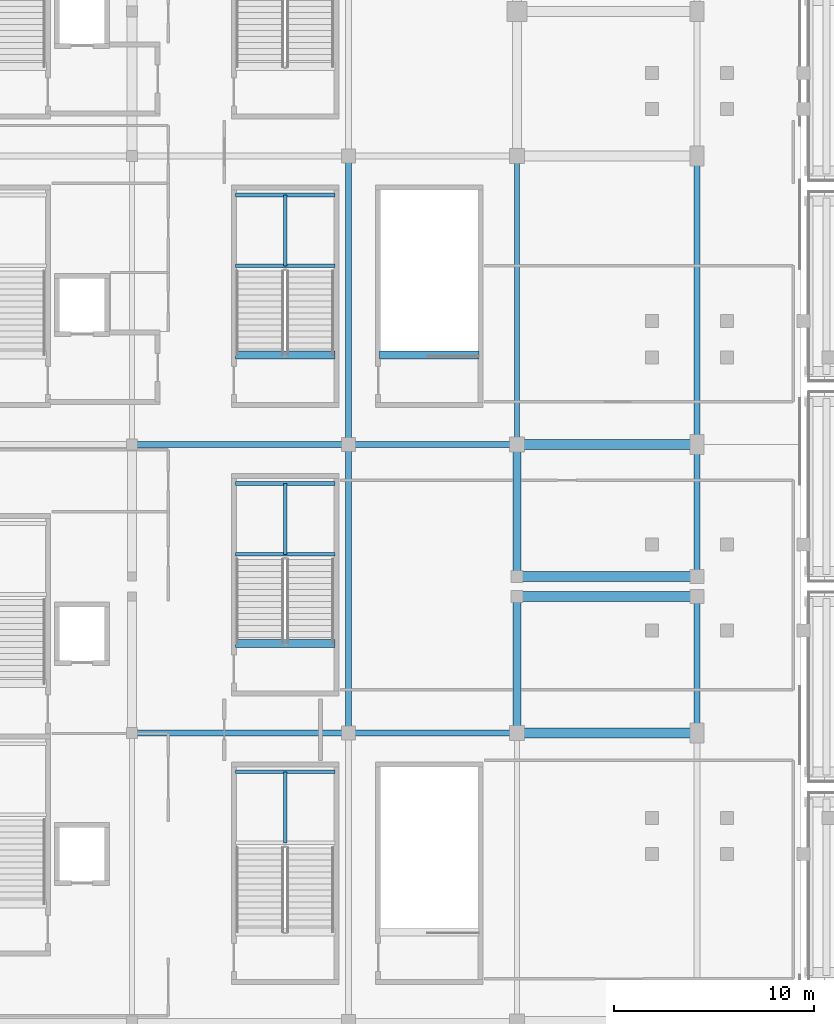
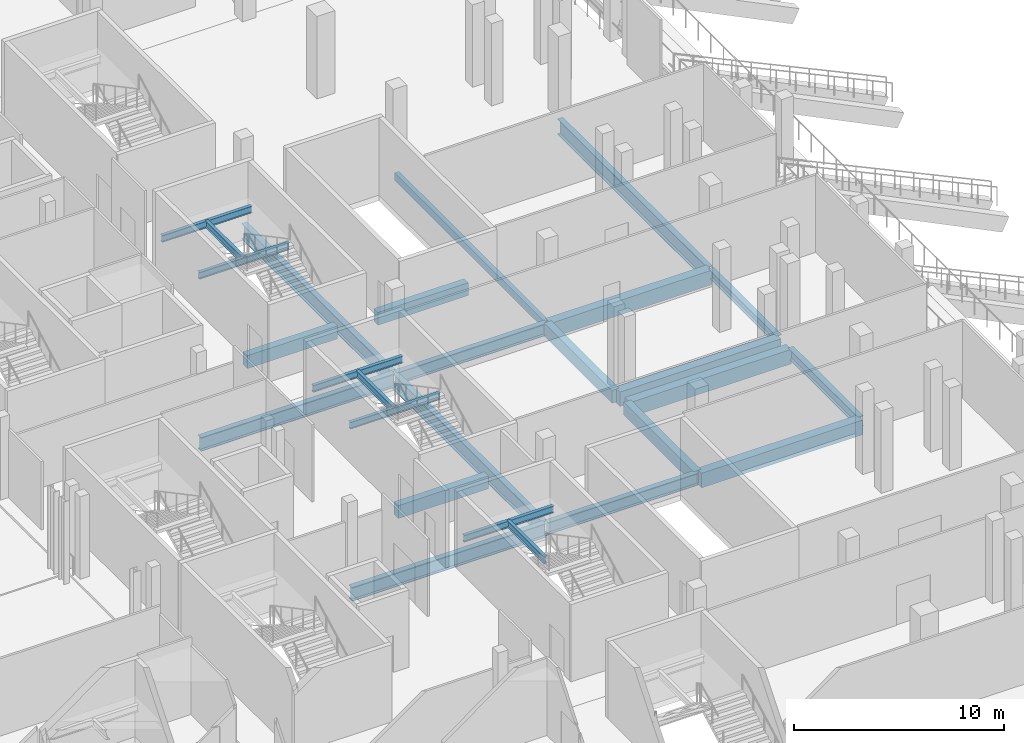
# One storey, part 29 of 129: 27 beams.
"""IFC4 building model written with IfcOpenShell, lengths in metres."""

import ifcopenshell
import ifcopenshell.guid

model = None  # the IFC model being written
_history = None  # IfcOwnerHistory: only IFC2X3 demands one
_inside = {}  # id of a spatial element -> (the spatial element, [elements in it])
_under = {}  # id of a project, library or spatial element -> (it, [spatial elements below it])
_declared = {}  # id of a project -> (the project, [libraries it declares])
_typed = {}  # id of a type object -> (the type object, [elements of that type])
_made_of = {}  # id of a material, layer set ... -> (it, [elements and type objects made of it])


def new_model(schema):
    """Start an empty IFC model of exactly this schema.

    Asked for "IFC4X3", IfcOpenShell would pick the latest addendum, in which some entities
    have other attributes; the version numbers below select the first issue.
    IFC2X3 requires an IfcOwnerHistory on every rooted entity: one is made here for all.
    """
    global model, _history
    if schema == "IFC4X3":
        model = ifcopenshell.file(schema_version=(4, 3, 0, 0))
    else:
        model = ifcopenshell.file(schema=schema)
    _inside.clear()
    _under.clear()
    _declared.clear()
    _typed.clear()
    _made_of.clear()
    _history = None
    if model.schema == "IFC2X3":
        org = make("IfcOrganization", Name="unknown")
        user = make(
            "IfcPersonAndOrganization",
            ThePerson=make("IfcPerson", FamilyName="unknown"),
            TheOrganization=org,
        )
        app = make(
            "IfcApplication",
            ApplicationDeveloper=org,
            Version="unknown",
            ApplicationFullName="unknown",
            ApplicationIdentifier="unknown",
        )
        _history = make(
            "IfcOwnerHistory",
            OwningUser=user,
            OwningApplication=app,
            ChangeAction="ADDED",
            CreationDate=0,
        )
    return model


def make(cls, **values):
    """One entity of the class cls with the attributes given. An attribute that is None is left unset."""
    return model.create_entity(
        cls, **{name: value for name, value in values.items() if value is not None}
    )


def rooted(cls, **values):
    """An entity with a GlobalId (a new one), such as an element, a storey or a relation."""
    return make(cls, GlobalId=ifcopenshell.guid.new(), OwnerHistory=_history, **values)


def si_unit(unit_type, name, prefix=None):
    """IfcSIUnit, for example si_unit("LENGTHUNIT", "METRE", prefix="MILLI")."""
    return make("IfcSIUnit", UnitType=unit_type, Prefix=prefix, Name=name)


def assignment(units):
    """IfcUnitAssignment: the units of a project."""
    return None if units is None else make("IfcUnitAssignment", Units=units)


def point(xyz):
    """IfcCartesianPoint."""
    return None if xyz is None else make("IfcCartesianPoint", Coordinates=xyz)


def direction(xyz):
    """IfcDirection."""
    return None if xyz is None else make("IfcDirection", DirectionRatios=xyz)


def frame(location, z_axis=None, x_axis=None):
    """IfcAxis2Placement3D, a coordinate frame: its origin and axes. An axis left out is left unset."""
    return make(
        "IfcAxis2Placement3D",
        Location=point(location),
        Axis=direction(z_axis),
        RefDirection=direction(x_axis),
    )


def frame_2d(location, x_axis=None):
    """IfcAxis2Placement2D, a coordinate frame in the plane: its origin and x axis."""
    return make(
        "IfcAxis2Placement2D", Location=point(location), RefDirection=direction(x_axis)
    )


def origin():
    """The frame at (0, 0, 0) with its axes left unset."""
    return frame((0.0, 0.0, 0.0))


def origin_2d():
    """The frame at (0, 0) in the plane with its x axis left unset."""
    return frame_2d((0.0, 0.0))


def place(relative_to, where):
    """IfcLocalPlacement: puts the frame where relative to a parent placement (None: the world)."""
    return make(
        "IfcLocalPlacement", PlacementRelTo=relative_to, RelativePlacement=where
    )


def context(
    kind, dimensions, precision=None, world=None, true_north=None, identifier=None
):
    """IfcGeometricRepresentationContext, for example the 3D "Model" context."""
    return make(
        "IfcGeometricRepresentationContext",
        ContextIdentifier=identifier,
        ContextType=kind,
        CoordinateSpaceDimension=dimensions,
        Precision=precision,
        WorldCoordinateSystem=world,
        TrueNorth=true_north,
    )


def subcontext(parent, identifier, kind, view, scale=None):
    """IfcGeometricRepresentationSubContext, for example "Body" below "Model"."""
    return make(
        "IfcGeometricRepresentationSubContext",
        ContextIdentifier=identifier,
        ContextType=kind,
        ParentContext=parent,
        TargetScale=scale,
        TargetView=view,
    )


def project(units=None, contexts=None):
    """IfcProject with its units and contexts."""
    return rooted(
        "IfcProject",
        Name="project",
        RepresentationContexts=contexts,
        UnitsInContext=assignment(units),
    )


def spatial(cls, under=None, at=None, **own):
    """A site, building, storey or space (cls), placed at a placement, below another one or the project."""
    s = rooted(cls, ObjectPlacement=at, **own)
    if under is not None:
        _under.setdefault(under.id(), (under, []))[1].append(s)
    return s


def profile(cls, at=None, kind="AREA", **sizes):
    """A parametric profile (cls). Its sizes go by their IFC names, for example OverallWidth=200.0."""
    return make(cls, ProfileType=kind, Position=at, **sizes)


def rectangle(**sizes):
    """IfcRectangleProfileDef."""
    return profile("IfcRectangleProfileDef", **sizes)


def hollow_rectangle(**sizes):
    """IfcRectangleHollowProfileDef."""
    return profile("IfcRectangleHollowProfileDef", **sizes)


def i_section(**sizes):
    """IfcIShapeProfileDef."""
    return profile("IfcIShapeProfileDef", **sizes)


def extrude(swept, where, along, depth):
    """IfcExtrudedAreaSolid: the profile swept, set in the frame where, extruded along a direction by depth."""
    return make(
        "IfcExtrudedAreaSolid",
        SweptArea=swept,
        Position=where,
        ExtrudedDirection=direction(along),
        Depth=depth,
    )


def shape(context_of_items, identifier, shape_type, items):
    """IfcShapeRepresentation: the items that make up one representation, for example the "Body"."""
    return make(
        "IfcShapeRepresentation",
        ContextOfItems=context_of_items,
        RepresentationIdentifier=identifier,
        RepresentationType=shape_type,
        Items=items,
    )


def material(Name=None, Category=None):
    """IfcMaterial."""
    return make("IfcMaterial", Name=Name, Category=Category)


def material_profile(
    of_material, cross_section, Name=None, Category=None, Priority=None
):
    """IfcMaterialProfile: a cross section and its material."""
    return make(
        "IfcMaterialProfile",
        Name=Name,
        Material=of_material,
        Profile=cross_section,
        Priority=Priority,
        Category=Category,
    )


def profile_set(profiles, Name=None, composite=None):
    """IfcMaterialProfileSet."""
    return make(
        "IfcMaterialProfileSet",
        Name=Name,
        MaterialProfiles=profiles,
        CompositeProfile=composite,
    )


def made_of(thing, what):
    """Note that an element or type object is made of a material, layer set ...; save() writes the relation."""
    if what is not None:
        _made_of.setdefault(what.id(), (what, []))[1].append(thing)
    return thing


def type_object(cls, material=None, **own):
    """A type object (cls), such as IfcWallType, which elements share."""
    return made_of(rooted(cls, **own), material)


def element(
    cls,
    number,
    at=None,
    inside=None,
    cuts=None,
    type_object=None,
    material=None,
    context=None,
    identifier="Body",
    shape_type=None,
    held_by="IfcProductDefinitionShape",
    body=None,
    shapes=None,
    **own,
):
    """One element of the class cls, such as IfcWall. Its Tag is "e" and its number.

    at: its placement. inside: the storey or other place that contains it. cuts: it is an
    opening in that element (IfcRelVoidsElement). A single representation is given by context,
    identifier, shape_type and body (its items); several are given by shapes. held_by: the class
    of the entity that holds the representations. save() writes the other relations.
    """
    e = rooted(cls, Tag="e%d" % number, ObjectPlacement=at, **own)
    if body is not None:
        shapes = [shape(context, identifier, shape_type, body)]
    if shapes is not None:
        e.Representation = make(held_by, Representations=shapes)
    if inside is not None:
        _inside.setdefault(inside.id(), (inside, []))[1].append(e)
    if cuts is not None:
        rooted(
            "IfcRelVoidsElement", RelatingBuildingElement=cuts, RelatedOpeningElement=e
        )
    if type_object is not None:
        _typed.setdefault(type_object.id(), (type_object, []))[1].append(e)
    return made_of(e, material)


def aggregate(whole, parts):
    """IfcRelAggregates: a whole, such as a stair, and the parts it consists of."""
    return rooted("IfcRelAggregates", RelatingObject=whole, RelatedObjects=parts)


def save(model, path):
    """Write the relations noted so far, then the file.

    IfcRelAggregates (storeys below a building ...), IfcRelContainedInSpatialStructure (elements
    in a storey), IfcRelDefinesByType, IfcRelAssociatesMaterial and IfcRelDeclares: one each for
    every whole, place, type object, material and project.
    """
    for whole, parts in _under.values():
        aggregate(whole, parts)
    for where, things in _inside.values():
        rooted(
            "IfcRelContainedInSpatialStructure",
            RelatedElements=things,
            RelatingStructure=where,
        )
    for kind, things in _typed.values():
        rooted("IfcRelDefinesByType", RelatedObjects=things, RelatingType=kind)
    for what, things in _made_of.values():
        rooted("IfcRelAssociatesMaterial", RelatedObjects=things, RelatingMaterial=what)
    for by, libraries in _declared.values():
        rooted("IfcRelDeclares", RelatingContext=by, RelatedDefinitions=libraries)
    model.write(path)


model = new_model("IFC4")

# Units and contexts
model_context = context("Model", 3, precision=1e-05, world=origin(), true_north=direction((0.0, 1.0)))
body_context = subcontext(model_context, "Body", "Model", "MODEL_VIEW")
ifc_project = project(units=[si_unit("LENGTHUNIT", "METRE"), si_unit("AREAUNIT", "SQUARE_METRE"), si_unit("VOLUMEUNIT", "CUBIC_METRE"), si_unit("PLANEANGLEUNIT", "RADIAN"), si_unit("MASSUNIT", "GRAM", prefix="KILO")], contexts=[model_context])

# Site, building, storey
site_placement = place(None, origin())
site = spatial("IfcSite", under=ifc_project, at=site_placement, CompositionType="ELEMENT")
building_placement = place(site_placement, origin())
building = spatial("IfcBuilding", under=site, at=building_placement, Name="Koshinbarg Plaza Stadium", CompositionType="ELEMENT")
storey_placement = place(building_placement, frame((0.0, 0.0, 5.39990234375)))
storey = spatial("IfcBuildingStorey", under=building, at=storey_placement, Name="L01", CompositionType="ELEMENT", Elevation=5.39990234375)

# Beams
ifc_material_1 = material(Name="Concrete C40/50", Category="concrete")
ifc_material_profile_1 = material_profile(ifc_material_1, rectangle(XDim=0.39990234375, YDim=0.75, at=origin_2d()), Name="RC 400x750")
ifc_profile_set_1 = profile_set([ifc_material_profile_1], Name="Concrete C40/50")
beam_type_1 = type_object("IfcBeamType", Name="BM-RCG-03", PredefinedType="USERDEFINED", material=ifc_profile_set_1)
beam_1_placement = place(storey_placement, frame((54.60009765625, 68.760009765625, -0.69482421875), z_axis=(0.0, 1.0, 0.0), x_axis=(-1.0, 0.0, 0.0)))
element("IfcBeam", 1, at=beam_1_placement, inside=storey, type_object=beam_type_1, Name="L01 Y girder 8/J-K", ObjectType="GIRDER", PredefinedType="USERDEFINED", context=body_context, shape_type="SweptSolid", body=[
    extrude(rectangle(XDim=0.39990234375, YDim=0.75, at=origin_2d()), origin(), (0.0, 0.0, 1.0), 6.679931640625),
])
beam_2_placement = place(storey_placement, frame((54.60009765625, 76.56005859375, -0.69482421875), z_axis=(0.0, 1.0, 0.0), x_axis=(-1.0, 0.0, 0.0)))
element("IfcBeam", 2, at=beam_2_placement, inside=storey, type_object=beam_type_1, Name="L01 Y girder 8/L-M", ObjectType="GIRDER", PredefinedType="USERDEFINED", context=body_context, shape_type="SweptSolid", body=[
    extrude(rectangle(XDim=0.39990234375, YDim=0.75, at=origin_2d()), origin(), (0.0, 0.0, 1.0), 6.47998046875),
])
for number, where, z_axis, x_axis, name in (
    (3, (40.550048828125, 73.159912109375, -0.375), (1.0, 0.0, 0.0), (0.0, 1.0, 0.0), "L01 stair landing header beam VX04"),
    (4, (40.550048828125, 87.56005859375, -0.375), (1.0, 0.0, 0.0), (0.0, 1.0, 0.0), "L01 stair landing header beam VX05"),
    (5, (47.75, 87.56005859375, -0.375), (1.0, 0.0, 0.0), (0.0, 1.0, 0.0), "L01 stair landing header beam VL03"),
):
    element("IfcBeam", number, at=place(storey_placement, frame(where, z_axis=z_axis, x_axis=x_axis)), inside=storey, type_object=beam_type_1, Name=name, ObjectType="GIRDER", PredefinedType="USERDEFINED", context=body_context, shape_type="SweptSolid", body=[
        extrude(rectangle(XDim=0.39990234375, YDim=0.75, at=origin_2d()), origin(), (0.0, 0.0, 1.0), 4.969970703125),
    ])
ifc_material_profile_2 = material_profile(ifc_material_1, rectangle(XDim=0.5, YDim=0.85009765625, at=origin_2d()), Name="RC 500x850")
ifc_profile_set_2 = profile_set([ifc_material_profile_2], Name="Concrete C40/50")
beam_type_2 = type_object("IfcBeamType", Name="BM-RCG-05", PredefinedType="USERDEFINED", material=ifc_profile_set_2)
for number, where, z_axis, x_axis, name in (
    (6, (54.659912109375, 68.699951171875, -0.744873046875), (1.0, 0.0, 0.0), (0.0, 1.0, 0.0), "L01 X girder J/8-9"),
    (7, (54.659912109375, 75.5, -0.744873046875), (1.0, 0.0, 0.0), (0.0, 1.0, 0.0), "L01 X girder K/8-9"),
    (8, (54.659912109375, 76.5, -0.744873046875), (1.0, 0.0, 0.0), (0.0, 1.0, 0.0), "L01 X girder L/8-9"),
    (9, (54.659912109375, 83.10009765625, -0.744873046875), (1.0, 0.0, 0.0), (0.0, 1.0, 0.0), "L01 X girder M/8-9"),
):
    element("IfcBeam", number, at=place(storey_placement, frame(where, z_axis=z_axis, x_axis=x_axis)), inside=storey, type_object=beam_type_2, Name=name, ObjectType="GIRDER", PredefinedType="USERDEFINED", context=body_context, shape_type="SweptSolid", body=[
        extrude(rectangle(XDim=0.5, YDim=0.85009765625, at=origin_2d()), origin(), (0.0, 0.0, 1.0), 8.880126953125),
    ])
ifc_material_2 = material(Name="Steel S355", Category="steel")
ifc_material_profile_3 = material_profile(ifc_material_2, i_section(OverallWidth=0.179931640625, OverallDepth=0.39990234375, WebThickness=0.008544921875, FlangeThickness=0.013427734375, at=origin_2d()), Name="IPE 400")
ifc_profile_set_3 = profile_set([ifc_material_profile_3], Name="Steel S355")
beam_type_3 = type_object("IfcBeamType", Name="BM-SBM-01", PredefinedType="BEAM", material=ifc_profile_set_3)
beam_3_placement = place(storey_placement, frame((40.550048828125, 66.75, 1.880126953125), z_axis=(1.0, 0.0, 0.0), x_axis=(0.0, 1.0, 0.0)))
element("IfcBeam", 10, at=beam_3_placement, inside=storey, type_object=beam_type_3, Name="L01 Upper Vomitory Stair VX03 landing trimmer beam 2", PredefinedType="BEAM", context=body_context, shape_type="SweptSolid", body=[
    extrude(i_section(OverallWidth=0.179931640625, OverallDepth=0.39990234375, WebThickness=0.008544921875, FlangeThickness=0.013427734375, at=origin_2d()), origin(), (0.0, 0.0, 1.0), 4.969970703125),
])
beam_4_placement = place(storey_placement, frame((43.034912109375, 63.2099609375, 1.880126953125), z_axis=(0.0, 1.0, 0.0), x_axis=(-1.0, 0.0, 0.0)))
element("IfcBeam", 11, at=beam_4_placement, inside=storey, type_object=beam_type_3, Name="L01 Upper Vomitory Stair VX03 landing trimmer beam 3", PredefinedType="BEAM", context=body_context, shape_type="SweptSolid", body=[
    extrude(i_section(OverallWidth=0.179931640625, OverallDepth=0.39990234375, WebThickness=0.008544921875, FlangeThickness=0.013427734375, at=origin_2d()), origin(), (0.0, 0.0, 1.0), 3.5400390625),
])
for number, where, z_axis, x_axis, name in (
    (12, (40.550048828125, 77.610107421875, 1.880126953125), (1.0, 0.0, 0.0), (0.0, 1.0, 0.0), "L01 Upper Vomitory Stair VX04 landing trimmer beam 1"),
    (13, (40.550048828125, 81.14990234375, 1.880126953125), (1.0, 0.0, 0.0), (0.0, 1.0, 0.0), "L01 Upper Vomitory Stair VX04 landing trimmer beam 2"),
):
    element("IfcBeam", number, at=place(storey_placement, frame(where, z_axis=z_axis, x_axis=x_axis)), inside=storey, type_object=beam_type_3, Name=name, PredefinedType="BEAM", context=body_context, shape_type="SweptSolid", body=[
        extrude(i_section(OverallWidth=0.179931640625, OverallDepth=0.39990234375, WebThickness=0.008544921875, FlangeThickness=0.013427734375, at=origin_2d()), origin(), (0.0, 0.0, 1.0), 4.969970703125),
    ])
beam_5_placement = place(storey_placement, frame((43.034912109375, 77.610107421875, 1.880126953125), z_axis=(0.0, 1.0, 0.0), x_axis=(-1.0, 0.0, 0.0)))
element("IfcBeam", 14, at=beam_5_placement, inside=storey, type_object=beam_type_3, Name="L01 Upper Vomitory Stair VX04 landing trimmer beam 3", PredefinedType="BEAM", context=body_context, shape_type="SweptSolid", body=[
    extrude(i_section(OverallWidth=0.179931640625, OverallDepth=0.39990234375, WebThickness=0.008544921875, FlangeThickness=0.013427734375, at=origin_2d()), origin(), (0.0, 0.0, 1.0), 3.539794921875),
])
for number, where, z_axis, x_axis, name in (
    (15, (40.550048828125, 92.010009765625, 1.880126953125), (1.0, 0.0, 0.0), (0.0, 1.0, 0.0), "L01 Upper Vomitory Stair VX05 landing trimmer beam 1"),
    (16, (40.550048828125, 95.550048828125, 1.880126953125), (1.0, 0.0, 0.0), (0.0, 1.0, 0.0), "L01 Upper Vomitory Stair VX05 landing trimmer beam 2"),
):
    element("IfcBeam", number, at=place(storey_placement, frame(where, z_axis=z_axis, x_axis=x_axis)), inside=storey, type_object=beam_type_3, Name=name, PredefinedType="BEAM", context=body_context, shape_type="SweptSolid", body=[
        extrude(i_section(OverallWidth=0.179931640625, OverallDepth=0.39990234375, WebThickness=0.008544921875, FlangeThickness=0.013427734375, at=origin_2d()), origin(), (0.0, 0.0, 1.0), 4.969970703125),
    ])
beam_6_placement = place(storey_placement, frame((43.034912109375, 92.010009765625, 1.880126953125), z_axis=(0.0, 1.0, 0.0), x_axis=(-1.0, 0.0, 0.0)))
element("IfcBeam", 17, at=beam_6_placement, inside=storey, type_object=beam_type_3, Name="L01 Upper Vomitory Stair VX05 landing trimmer beam 3", PredefinedType="BEAM", context=body_context, shape_type="SweptSolid", body=[
    extrude(i_section(OverallWidth=0.179931640625, OverallDepth=0.39990234375, WebThickness=0.008544921875, FlangeThickness=0.013427734375, at=origin_2d()), origin(), (0.0, 0.0, 1.0), 3.5400390625),
])
ifc_material_profile_4 = material_profile(ifc_material_2, i_section(OverallWidth=0.300048828125, OverallDepth=0.5, WebThickness=0.014404296875, FlangeThickness=0.028076171875, at=origin_2d()), Name="HEB 500")
ifc_profile_set_4 = profile_set([ifc_material_profile_4], Name="Steel S355")
beam_type_4 = type_object("IfcBeamType", Name="BM-SGIR-01", PredefinedType="USERDEFINED", material=ifc_profile_set_4)
beam_7_placement = place(storey_placement, frame((63.60009765625, 76.56005859375, -0.56982421875), z_axis=(0.0, 1.0, 0.0), x_axis=(-1.0, 0.0, 0.0)))
element("IfcBeam", 18, at=beam_7_placement, inside=storey, type_object=beam_type_4, Name="L01 Y girder 9/L-M", ObjectType="GIRDER", PredefinedType="USERDEFINED", context=body_context, shape_type="SweptSolid", body=[
    extrude(i_section(OverallWidth=0.300048828125, OverallDepth=0.5, WebThickness=0.014404296875, FlangeThickness=0.028076171875, at=origin_2d()), origin(), (0.0, 0.0, 1.0), 6.47998046875),
])
ifc_material_profile_5 = material_profile(ifc_material_2, i_section(OverallWidth=0.300048828125, OverallDepth=0.60009765625, WebThickness=0.015380859375, FlangeThickness=0.030029296875, at=origin_2d()), Name="HEB 600")
ifc_profile_set_5 = profile_set([ifc_material_profile_5], Name="Steel S355")
beam_type_5 = type_object("IfcBeamType", Name="BM-SGIR-02", PredefinedType="USERDEFINED", material=ifc_profile_set_5)
beam_8_placement = place(storey_placement, frame((63.60009765625, 68.760009765625, -0.619873046875), z_axis=(0.0, 1.0, 0.0), x_axis=(-1.0, 0.0, 0.0)))
element("IfcBeam", 19, at=beam_8_placement, inside=storey, type_object=beam_type_5, Name="L01 Y girder 9/J-K", ObjectType="GIRDER", PredefinedType="USERDEFINED", context=body_context, shape_type="SweptSolid", body=[
    extrude(i_section(OverallWidth=0.300048828125, OverallDepth=0.60009765625, WebThickness=0.015380859375, FlangeThickness=0.030029296875, at=origin_2d()), origin(), (0.0, 0.0, 1.0), 6.679931640625),
])
ifc_material_profile_6 = material_profile(ifc_material_2, i_section(OverallWidth=0.300048828125, OverallDepth=0.699951171875, WebThickness=0.01708984375, FlangeThickness=0.031982421875, at=origin_2d()), Name="HEB 700")
ifc_profile_set_6 = profile_set([ifc_material_profile_6], Name="Steel S355")
beam_type_6 = type_object("IfcBeamType", Name="BM-SGIR-03", PredefinedType="USERDEFINED", material=ifc_profile_set_6)
for number, where, z_axis, x_axis, name in (
    (20, (46.260009765625, 68.699951171875, -0.669921875), (1.0, 0.0, 0.0), (0.0, 1.0, 0.0), "L01 X girder J/7-8"),
    (21, (46.260009765625, 83.10009765625, -0.669921875), (1.0, 0.0, 0.0), (0.0, 1.0, 0.0), "L01 X girder M/7-8"),
):
    element("IfcBeam", number, at=place(storey_placement, frame(where, z_axis=z_axis, x_axis=x_axis)), inside=storey, type_object=beam_type_6, Name=name, ObjectType="GIRDER", PredefinedType="USERDEFINED", context=body_context, shape_type="SweptSolid", body=[
        extrude(i_section(OverallWidth=0.300048828125, OverallDepth=0.699951171875, WebThickness=0.01708984375, FlangeThickness=0.031982421875, at=origin_2d()), origin(), (0.0, 0.0, 1.0), 8.280029296875),
    ])
ifc_material_profile_7 = material_profile(ifc_material_2, i_section(OverallWidth=0.300048828125, OverallDepth=0.800048828125, WebThickness=0.017578125, FlangeThickness=0.032958984375, at=origin_2d()), Name="HEB 800")
ifc_profile_set_7 = profile_set([ifc_material_profile_7], Name="Steel S355")
beam_type_7 = type_object("IfcBeamType", Name="BM-SGIR-04", PredefinedType="USERDEFINED", material=ifc_profile_set_7)
for number, where, z_axis, x_axis, name in (
    (22, (35.4599609375, 68.699951171875, -0.719970703125), (1.0, 0.0, 0.0), (0.0, 1.0, 0.0), "L01 X girder J/6-7"),
    (23, (35.4599609375, 83.10009765625, -0.719970703125), (1.0, 0.0, 0.0), (0.0, 1.0, 0.0), "L01 X girder M/6-7"),
):
    element("IfcBeam", number, at=place(storey_placement, frame(where, z_axis=z_axis, x_axis=x_axis)), inside=storey, type_object=beam_type_7, Name=name, ObjectType="GIRDER", PredefinedType="USERDEFINED", context=body_context, shape_type="SweptSolid", body=[
        extrude(i_section(OverallWidth=0.300048828125, OverallDepth=0.800048828125, WebThickness=0.017578125, FlangeThickness=0.032958984375, at=origin_2d()), origin(), (0.0, 0.0, 1.0), 10.679931640625),
    ])
ifc_material_profile_8 = material_profile(ifc_material_2, i_section(OverallWidth=0.300048828125, OverallDepth=0.89990234375, WebThickness=0.0185546875, FlangeThickness=0.034912109375, at=origin_2d()), Name="HEB 900")
ifc_profile_set_8 = profile_set([ifc_material_profile_8], Name="Steel S355")
beam_type_8 = type_object("IfcBeamType", Name="BM-SGIR-05", PredefinedType="USERDEFINED", material=ifc_profile_set_8)
for number, where, z_axis, x_axis, name in (
    (24, (46.199951171875, 68.760009765625, -0.77001953125), (0.0, 1.0, 0.0), (-1.0, 0.0, 0.0), "L01 Y girder 7/J-M"),
    (25, (46.199951171875, 83.159912109375, -0.77001953125), (0.0, 1.0, 0.0), (-1.0, 0.0, 0.0), "L01 Y girder 7/M-N"),
    (26, (63.60009765625, 83.159912109375, -0.77001953125), (0.0, 1.0, 0.0), (-1.0, 0.0, 0.0), "L01 Y girder 9/M-N"),
):
    element("IfcBeam", number, at=place(storey_placement, frame(where, z_axis=z_axis, x_axis=x_axis)), inside=storey, type_object=beam_type_8, Name=name, ObjectType="GIRDER", PredefinedType="USERDEFINED", context=body_context, shape_type="SweptSolid", body=[
        extrude(i_section(OverallWidth=0.300048828125, OverallDepth=0.89990234375, WebThickness=0.0185546875, FlangeThickness=0.034912109375, at=origin_2d()), origin(), (0.0, 0.0, 1.0), 14.280029296875),
    ])
ifc_material_profile_9 = material_profile(ifc_material_2, hollow_rectangle(XDim=0.25, YDim=0.449951171875, WallThickness=0.01611328125, at=origin_2d()), Name="RHS 450x250x16")
ifc_profile_set_9 = profile_set([ifc_material_profile_9], Name="Steel S355")
beam_type_9 = type_object("IfcBeamType", Name="BM-SGIR-06", PredefinedType="USERDEFINED", material=ifc_profile_set_9)
beam_9_placement = place(storey_placement, frame((54.60009765625, 83.159912109375, -0.544921875), z_axis=(0.0, 1.0, 0.0), x_axis=(-1.0, 0.0, 0.0)))
element("IfcBeam", 27, at=beam_9_placement, inside=storey, type_object=beam_type_9, Name="L01 Y girder 8/M-N", ObjectType="GIRDER", PredefinedType="USERDEFINED", context=body_context, shape_type="SweptSolid", body=[
    extrude(hollow_rectangle(XDim=0.25, YDim=0.449951171875, WallThickness=0.01611328125, at=origin_2d()), origin(), (0.0, 0.0, 1.0), 14.280029296875),
])

save(model, "model.ifc")
